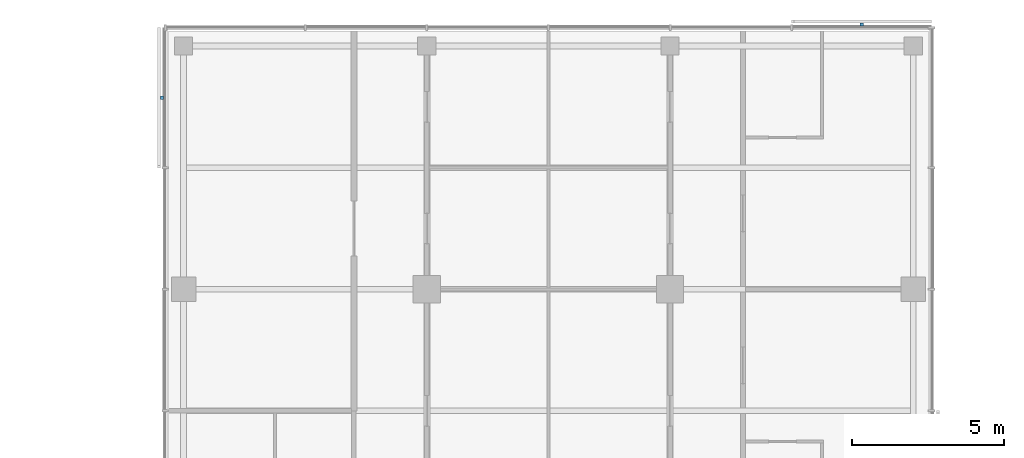
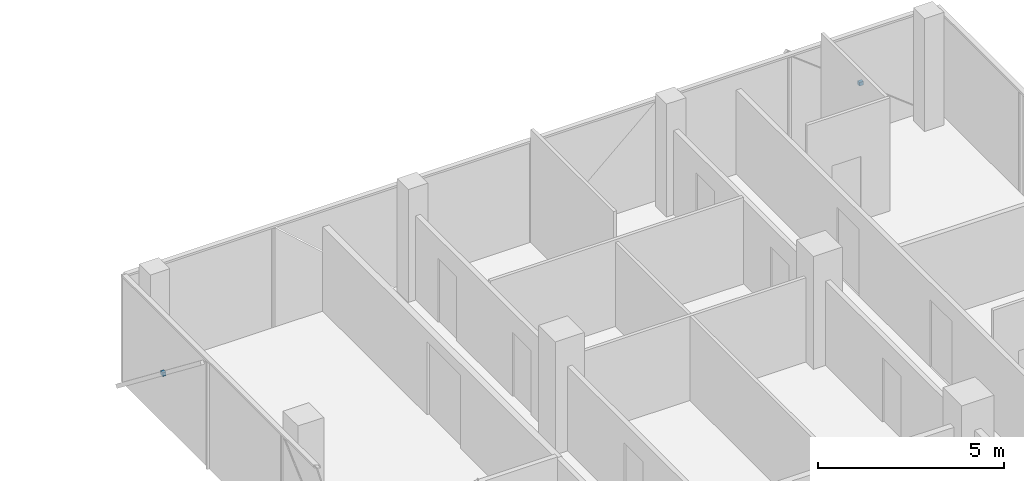
# One storey, part 26 of 27: 2 discrete accessories.
"""IFC4 building model written with IfcOpenShell, lengths in metres."""

from ifc_helpers import new_model, si_unit, direction, frame, origin, origin_2d, place, context, subcontext, project, spatial, rectangle, extrude, material, type_object, element, save


model = new_model("IFC4")

# Units and contexts
model_context = context("Model", 3, precision=1e-05, world=origin(), true_north=direction((0.0, 1.0)))
body_context = subcontext(model_context, "Body", "Model", "MODEL_VIEW")
ifc_project = project(units=[si_unit("LENGTHUNIT", "METRE"), si_unit("AREAUNIT", "SQUARE_METRE"), si_unit("VOLUMEUNIT", "CUBIC_METRE"), si_unit("PLANEANGLEUNIT", "RADIAN"), si_unit("MASSUNIT", "GRAM", prefix="KILO")], contexts=[model_context])

# Site, building, storey
site_placement = place(None, origin())
site = spatial("IfcSite", under=ifc_project, at=site_placement, CompositionType="ELEMENT")
building_placement = place(site_placement, origin())
building = spatial("IfcBuilding", under=site, at=building_placement, Name="Crosswind Convention Tower", CompositionType="ELEMENT")
storey_placement = place(building_placement, frame((0.0, 0.0, 101.60009765625)))
storey = spatial("IfcBuildingStorey", under=building, at=storey_placement, Name="L20", CompositionType="ELEMENT", Elevation=101.60009765625)

# Discrete accessories
ifc_material = material(Name="Stainless steel", Category="steel")
discrete_accessory_type = type_object("IfcDiscreteAccessoryType", Name="BAGUETTE BRACKET BK2", PredefinedType="BRACKET", material=ifc_material)
for number, where, z_axis, x_axis, name in (
    (1, (135.300048828125, 136.7080078125, 1.417236328125), (0.0, 0.0, 1.0), (-1.0, 0.0, 0.0), "BK2 baguette bracket"),
    (2, (112.2919921875, 134.300048828125, 1.417236328125), (0.0, 0.0, 1.0), (0.0, -1.0, 0.0), "BK2 baguette bracket"),
):
    element("IfcDiscreteAccessory", number, at=place(storey_placement, frame(where, z_axis=z_axis, x_axis=x_axis)), inside=storey, type_object=discrete_accessory_type, Name=name, PredefinedType="BRACKET", context=body_context, shape_type="SweptSolid", body=[
        extrude(rectangle(XDim=0.1201171875, YDim=0.10009765625, at=origin_2d()), origin(), (0.0, 0.0, 1.0), 0.1201171875),
    ])

save(model, "model.ifc")
